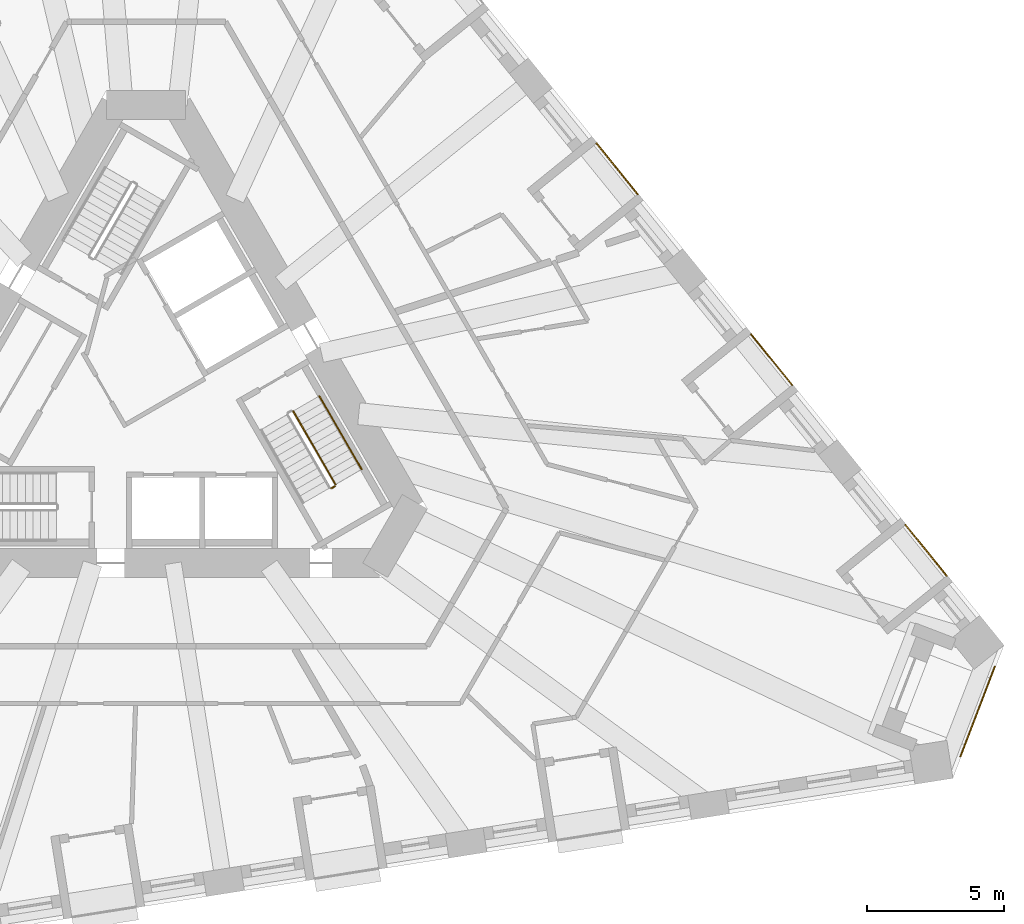
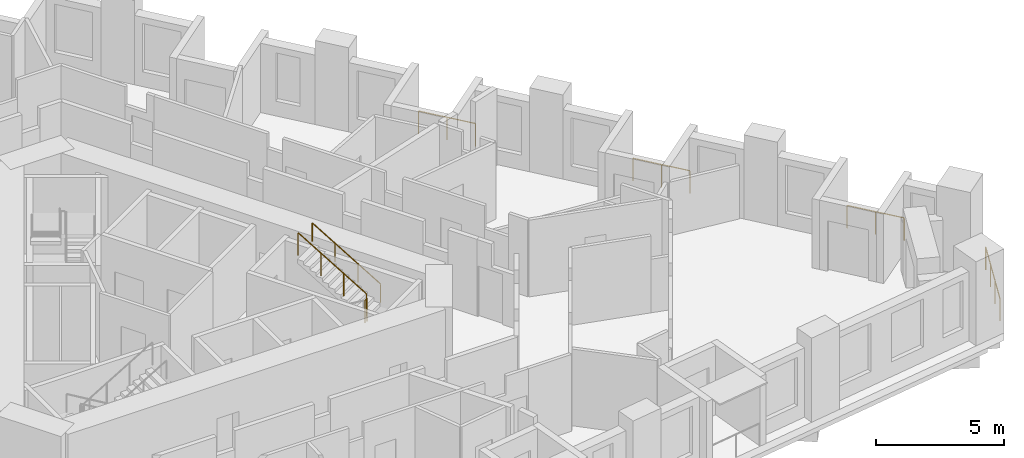
# One storey, part 13 of 14: 7 railings.
"""IFC4 building model written with IfcOpenShell, lengths in metres."""

from ifc_helpers import new_model, si_unit, direction, frame, origin, origin_2d, place, context, subcontext, project, spatial, circle, extrude, material, type_object, element, save


model = new_model("IFC4")

# Units and contexts
model_context = context("Model", 3, precision=1e-05, world=origin(), true_north=direction((0.0, 1.0)))
body_context = subcontext(model_context, "Body", "Model", "MODEL_VIEW")
ifc_project = project(units=[si_unit("LENGTHUNIT", "METRE"), si_unit("AREAUNIT", "SQUARE_METRE"), si_unit("VOLUMEUNIT", "CUBIC_METRE"), si_unit("PLANEANGLEUNIT", "RADIAN"), si_unit("MASSUNIT", "GRAM", prefix="KILO")], contexts=[model_context])

# Site, building, storey
site_placement = place(None, origin())
site = spatial("IfcSite", under=ifc_project, at=site_placement, CompositionType="ELEMENT")
building_placement = place(site_placement, origin())
building = spatial("IfcBuilding", under=site, at=building_placement, Name="Tramontana Tower", CompositionType="ELEMENT")
storey_placement = place(building_placement, frame((0.0, 0.0, 79.199951171875)))
storey = spatial("IfcBuildingStorey", under=building, at=storey_placement, Name="L17", CompositionType="ELEMENT", Elevation=79.199951171875)

# Railings
ifc_material_1 = material(Name="Laminated glass balustrade", Category="glass")
railing_type_1 = type_object("IfcRailingType", Name="GD1 Loggia glass balustrade 1100", PredefinedType="BALUSTRADE", material=ifc_material_1)
railing_1_placement = place(storey_placement, frame((29.18310546875, -6.68896484375, 0.0)))
element("IfcRailing", 1, at=railing_1_placement, inside=storey, type_object=railing_type_1, Name="Loggia balustrade L17 G1S2.1", PredefinedType="BALUSTRADE", context=body_context, shape_type="SweptSolid", body=[
    extrude(circle(Radius=0.02392578125, at=origin_2d()), frame((0.0, 0.0, 1.076171875), z_axis=(-0.629369155682, 0.777106470103, 0.0), x_axis=(-0.777106470103, -0.629369155682, 0.0)), (0.0, 0.0, 1.0), 2.383056640625),
    extrude(circle(Radius=0.02099609375, at=origin_2d()), origin(), (0.0, 0.0, 1.0), 1.052001953125),
    extrude(circle(Radius=0.02099609375, at=origin_2d()), frame((-0.75, 0.92578125, 0.0)), (0.0, 0.0, 1.0), 1.052001953125),
    extrude(circle(Radius=0.02099609375, at=origin_2d()), frame((-1.499755859375, 1.851806640625, 0.0)), (0.0, 0.0, 1.0), 1.052001953125),
])
railing_2_placement = place(storey_placement, frame((23.55126953125, 0.265625, 0.0)))
element("IfcRailing", 2, at=railing_2_placement, inside=storey, type_object=railing_type_1, Name="Loggia balustrade L17 G1S2.4", PredefinedType="BALUSTRADE", context=body_context, shape_type="SweptSolid", body=[
    extrude(circle(Radius=0.02392578125, at=origin_2d()), frame((0.0, 0.0, 1.076171875), z_axis=(-0.629257171563, 0.777197151331, 0.0), x_axis=(-0.777197151331, -0.629257171563, 0.0)), (0.0, 0.0, 1.0), 2.383056640625),
    extrude(circle(Radius=0.02099609375, at=origin_2d()), origin(), (0.0, 0.0, 1.0), 1.052001953125),
    extrude(circle(Radius=0.02099609375, at=origin_2d()), frame((-0.749755859375, 0.926025390625, 0.0)), (0.0, 0.0, 1.0), 1.052001953125),
    extrude(circle(Radius=0.02099609375, at=origin_2d()), frame((-1.49951171875, 1.85205078125, 0.0)), (0.0, 0.0, 1.0), 1.052001953125),
])
railing_3_placement = place(storey_placement, frame((17.919677734375, 7.22021484375, 0.0)))
element("IfcRailing", 3, at=railing_3_placement, inside=storey, type_object=railing_type_1, Name="Loggia balustrade L17 G1S2.7", PredefinedType="BALUSTRADE", context=body_context, shape_type="SweptSolid", body=[
    extrude(circle(Radius=0.02392578125, at=origin_2d()), frame((0.0, 0.0, 1.076171875), z_axis=(-0.629319049918, 0.777147047482, 0.0), x_axis=(-0.777147047482, -0.629319049918, 0.0)), (0.0, 0.0, 1.0), 2.383056640625),
    extrude(circle(Radius=0.02099609375, at=origin_2d()), origin(), (0.0, 0.0, 1.0), 1.052001953125),
    extrude(circle(Radius=0.02099609375, at=origin_2d()), frame((-0.75, 0.926025390625, 0.0)), (0.0, 0.0, 1.0), 1.052001953125),
    extrude(circle(Radius=0.02099609375, at=origin_2d()), frame((-1.499755859375, 1.85205078125, 0.0)), (0.0, 0.0, 1.0), 1.052001953125),
])
railing_4_placement = place(storey_placement, frame((30.9404296875, -10.00244140625, 0.0)))
element("IfcRailing", 4, at=railing_4_placement, inside=storey, type_object=railing_type_1, Name="Corner loggia balustrade L17 K12", PredefinedType="BALUSTRADE", context=body_context, shape_type="SweptSolid", body=[
    extrude(circle(Radius=0.02392578125, at=origin_2d()), frame((0.0, 0.0, 1.076171875), z_axis=(-0.358329267986, -0.933595274037, 0.0), x_axis=(0.933595274037, -0.358329267986, 0.0)), (0.0, 0.0, 1.0), 3.5),
    extrude(circle(Radius=0.02099609375, at=origin_2d()), origin(), (0.0, 0.0, 1.0), 1.052001953125),
    extrude(circle(Radius=0.02099609375, at=origin_2d()), frame((-0.41796875, -1.089111328125, 0.0)), (0.0, 0.0, 1.0), 1.052001953125),
    extrude(circle(Radius=0.02099609375, at=origin_2d()), frame((-0.836181640625, -2.178466796875, 0.0)), (0.0, 0.0, 1.0), 1.052001953125),
    extrude(circle(Radius=0.02099609375, at=origin_2d()), frame((-1.254150390625, -3.267578125, 0.0)), (0.0, 0.0, 1.0), 1.052001953125),
])
ifc_material_2 = material(Name="Painted steel", Category="steel")
railing_type_2 = type_object("IfcRailingType", Name="STAIR GUARD 1100", PredefinedType="GUARDRAIL", material=ifc_material_2)
railing_5_placement = place(storey_placement, frame((6.90380859375, -3.35791015625, 2.166748046875)))
element("IfcRailing", 5, at=railing_5_placement, inside=storey, type_object=railing_type_2, Name="L17 ST3 stair guard 2", PredefinedType="GUARDRAIL", context=body_context, shape_type="SweptSolid", body=[
    extrude(circle(Radius=0.02392578125, at=origin_2d()), frame((0.0, 0.0, 1.076171875), z_axis=(-0.429615651263, 0.74418122563, 0.511492615401), x_axis=(-0.866044340336, -0.499967199496, 0.0)), (0.0, 0.0, 1.0), 3.584228515625),
    extrude(circle(Radius=0.02099609375, at=origin_2d()), origin(), (0.0, 0.0, 1.0), 1.052001953125),
    extrude(circle(Radius=0.02099609375, at=origin_2d()), frame((-0.51318359375, 0.88916015625, 0.611083984375)), (0.0, 0.0, 1.0), 1.052001953125),
    extrude(circle(Radius=0.02099609375, at=origin_2d()), frame((-1.026611328125, 1.778076171875, 1.22216796875)), (0.0, 0.0, 1.0), 1.052001953125),
    extrude(circle(Radius=0.02099609375, at=origin_2d()), frame((-1.539794921875, 2.667236328125, 1.833251953125)), (0.0, 0.0, 1.0), 1.052001953125),
])
railing_6_placement = place(storey_placement, frame((6.755615234375, -3.501220703125, 2.0)))
element("IfcRailing", 6, at=railing_6_placement, inside=storey, type_object=railing_type_2, Name="L17 ST3 stair guard 3", PredefinedType="GUARDRAIL", context=body_context, shape_type="SweptSolid", body=[
    extrude(circle(Radius=0.02392578125, at=origin_2d()), frame((0.0, 0.0, 1.076171875), z_axis=(0.866131372301, 0.499816412211, 0.0), x_axis=(-0.499816412211, 0.866131372301, 0.0)), (0.0, 0.0, 1.0), 0.14990234375),
    extrude(circle(Radius=0.02099609375, at=origin_2d()), origin(), (0.0, 0.0, 1.0), 1.052001953125),
    extrude(circle(Radius=0.02099609375, at=origin_2d()), frame((0.1298828125, 0.074951171875, 0.0)), (0.0, 0.0, 1.0), 1.052001953125),
])
ifc_material_3 = material(Name="Painted steel", Category="steel")
railing_type_3 = type_object("IfcRailingType", Name="STAIR HANDRAIL 900", PredefinedType="HANDRAIL", material=ifc_material_3)
railing_7_placement = place(storey_placement, frame((7.8564453125, -2.807861328125, 2.166748046875)))
element("IfcRailing", 7, at=railing_7_placement, inside=storey, type_object=railing_type_3, Name="L17 ST3 stair handrail 2", PredefinedType="HANDRAIL", context=body_context, shape_type="SweptSolid", body=[
    extrude(circle(Radius=0.02392578125, at=origin_2d()), frame((0.0, 0.0, 0.8759765625), z_axis=(-0.429615651263, 0.74418122563, 0.511492615401), x_axis=(-0.866044340336, -0.499967199496, 0.0)), (0.0, 0.0, 1.0), 3.584228515625),
    extrude(circle(Radius=0.02099609375, at=origin_2d()), origin(), (0.0, 0.0, 1.0), 0.851806640625),
    extrude(circle(Radius=0.02099609375, at=origin_2d()), frame((-0.51318359375, 0.88916015625, 0.611083984375)), (0.0, 0.0, 1.0), 0.851806640625),
    extrude(circle(Radius=0.02099609375, at=origin_2d()), frame((-1.026611328125, 1.778076171875, 1.22216796875)), (0.0, 0.0, 1.0), 0.851806640625),
    extrude(circle(Radius=0.02099609375, at=origin_2d()), frame((-1.539794921875, 2.667236328125, 1.833251953125)), (0.0, 0.0, 1.0), 0.851806640625),
])

save(model, "model.ifc")
